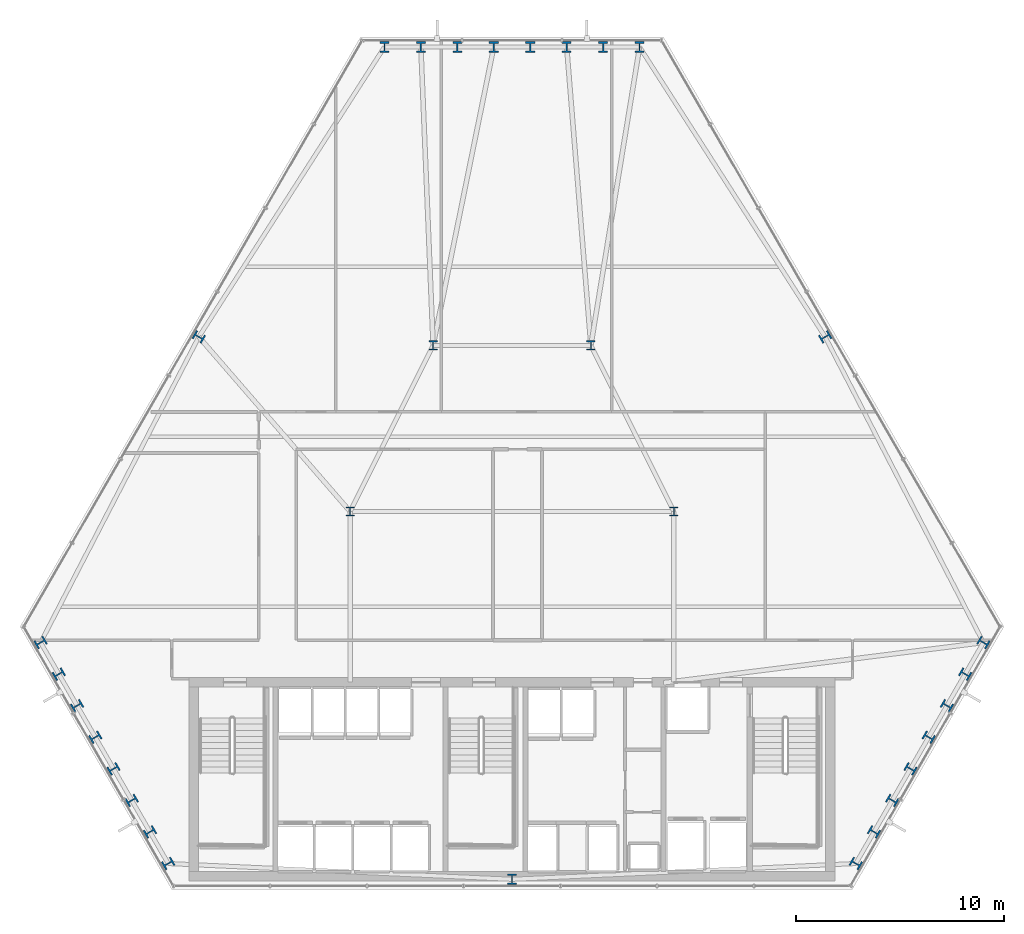
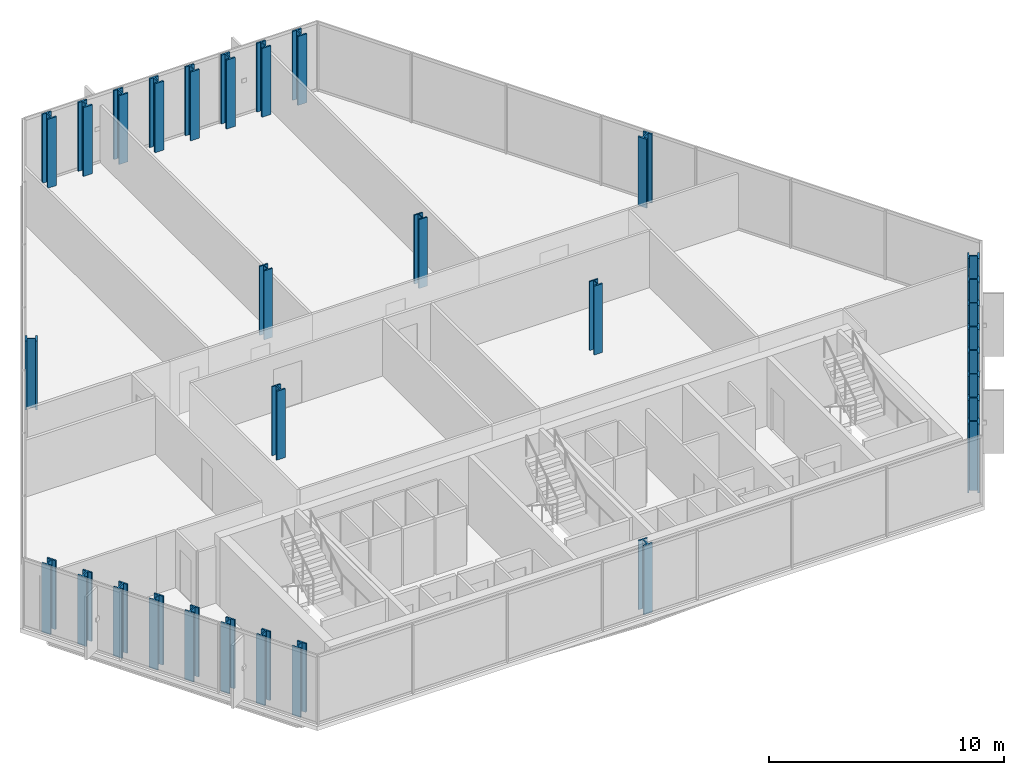
# One storey, part 1 of 33: 31 columns.
"""IFC4 building model written with IfcOpenShell, lengths in metres."""

from ifc_helpers import new_model, si_unit, direction, frame, origin, origin_2d, place, context, subcontext, project, spatial, i_section, extrude, material, material_profile, profile_set, type_object, element, save


model = new_model("IFC4")

# Units and contexts
model_context = context("Model", 3, precision=1e-05, world=origin(), true_north=direction((0.0, 1.0)))
body_context = subcontext(model_context, "Body", "Model", "MODEL_VIEW")
ifc_project = project(units=[si_unit("LENGTHUNIT", "METRE"), si_unit("AREAUNIT", "SQUARE_METRE"), si_unit("VOLUMEUNIT", "CUBIC_METRE"), si_unit("PLANEANGLEUNIT", "RADIAN"), si_unit("MASSUNIT", "GRAM", prefix="KILO")], contexts=[model_context])

# Site, building, storey
site_placement = place(None, origin())
site = spatial("IfcSite", under=ifc_project, at=site_placement, CompositionType="ELEMENT")
building_placement = place(site_placement, origin())
building = spatial("IfcBuilding", under=site, at=building_placement, Name="Ndaravel Arena Tower", CompositionType="ELEMENT")
storey_placement = place(building_placement, frame((0.0, 0.0, 85.39990234375)))
storey = spatial("IfcBuildingStorey", under=building, at=storey_placement, Name="L19", CompositionType="ELEMENT", Elevation=85.39990234375)

# Columns
ifc_material_1 = material(Name="Steel S460", Category="steel")
ifc_material_profile_1 = material_profile(ifc_material_1, i_section(OverallWidth=0.41845703125, OverallDepth=0.45556640625, WebThickness=0.0419921875, FlangeThickness=0.0673828125, FilletRadius=0.01513671875, at=origin_2d()), Name="UC 356x406x551")
ifc_profile_set_1 = profile_set([ifc_material_profile_1], Name="Steel S460")
column_type_1 = type_object("IfcColumnType", Name="COL-INT-UC551", PredefinedType="COLUMN", material=ifc_profile_set_1)
for number, where, z_axis, x_axis, name in (
    (1, (34.199951171875, 23.199951171875, 0.0), (0.0, 0.0, 1.0), (1.0, 0.0, 0.0), "L19 Interior Spine Column IC-01"),
    (2, (49.800048828125, 23.199951171875, 0.0), (0.0, 0.0, 1.0), (1.0, 0.0, 0.0), "L19 Interior Spine Column IC-02"),
    (3, (38.199951171875, 31.199951171875, 0.0), (0.0, 0.0, 1.0), (1.0, 0.0, 0.0), "L19 Interior Spine Column IC-03"),
    (4, (45.800048828125, 31.199951171875, 0.0), (0.0, 0.0, 1.0), (1.0, 0.0, 0.0), "L19 Interior Spine Column IC-04"),
):
    element("IfcColumn", number, at=place(storey_placement, frame(where, z_axis=z_axis, x_axis=x_axis)), inside=storey, type_object=column_type_1, Name=name, PredefinedType="COLUMN", context=body_context, shape_type="SweptSolid", body=[
        extrude(i_section(OverallWidth=0.41845703125, OverallDepth=0.45556640625, WebThickness=0.0419921875, FlangeThickness=0.0673828125, FilletRadius=0.01513671875, at=origin_2d()), origin(), (0.0, 0.0, 1.0), 3.580078125),
    ])
ifc_material_2 = material(Name="Steel S460", Category="steel")
ifc_material_profile_2 = material_profile(ifc_material_2, i_section(OverallWidth=0.43701171875, OverallDepth=0.513916015625, WebThickness=0.060546875, FlangeThickness=0.076904296875, FilletRadius=0.014892578125, at=origin_2d()), Name="HD 400x818")
ifc_profile_set_2 = profile_set([ifc_material_profile_2], Name="Steel S460")
column_type_2 = type_object("IfcColumnType", Name="COL-TUBE-HD818", PredefinedType="COLUMN", material=ifc_profile_set_2)
for number, where, z_axis, x_axis, name in (
    (5, (42.0, 5.47998046875, 0.0), (0.0, 0.0, 1.0), (1.0, 0.0, 0.0), "L19 Framed Tube Column TC-01"),
    (6, (58.563232421875, 6.240478515625, 0.0), (0.0, 0.0, 1.0), (0.5, 0.866025403784, 0.0), "L19 Framed Tube Column TC-02"),
    (7, (59.44140625, 7.761474609375, 0.0), (0.0, 0.0, 1.0), (0.5, 0.866025403784, 0.0), "L19 Framed Tube Column TC-03"),
    (8, (60.319580078125, 9.282470703125, 0.0), (0.0, 0.0, 1.0), (0.5, 0.866025403784, 0.0), "L19 Framed Tube Column TC-04"),
    (9, (61.19775390625, 10.803466796875, 0.0), (0.0, 0.0, 1.0), (0.5, 0.866025403784, 0.0), "L19 Framed Tube Column TC-05"),
    (10, (62.07568359375, 12.324462890625, 0.0), (0.0, 0.0, 1.0), (0.5, 0.866025403784, 0.0), "L19 Framed Tube Column TC-06"),
    (11, (62.9541015625, 13.845458984375, 0.0), (0.0, 0.0, 1.0), (0.5, 0.866025403784, 0.0), "L19 Framed Tube Column TC-07"),
    (12, (63.83203125, 15.366455078125, 0.0), (0.0, 0.0, 1.0), (0.5, 0.866025403784, 0.0), "L19 Framed Tube Column TC-08"),
    (13, (64.710205078125, 16.887451171875, 0.0), (0.0, 0.0, 1.0), (0.5, 0.866025403784, 0.0), "L19 Framed Tube Column TC-09"),
    (14, (57.087158203125, 31.61181640625, 0.0), (0.0, 0.0, 1.0), (-0.5, 0.866025403784, 0.0), "L19 Framed Tube Column TC-10"),
    (15, (48.147216796875, 45.575927734375, 0.0), (0.0, 0.0, 1.0), (1.0, 0.0, 0.0), "L19 Framed Tube Column TC-11"),
    (16, (46.390625, 45.575927734375, 0.0), (0.0, 0.0, 1.0), (1.0, 0.0, 0.0), "L19 Framed Tube Column TC-12"),
    (17, (44.634521484375, 45.575927734375, 0.0), (0.0, 0.0, 1.0), (1.0, 0.0, 0.0), "L19 Framed Tube Column TC-13"),
    (18, (42.878173828125, 45.575927734375, 0.0), (0.0, 0.0, 1.0), (1.0, 0.0, 0.0), "L19 Framed Tube Column TC-14"),
    (19, (41.121826171875, 45.575927734375, 0.0), (0.0, 0.0, 1.0), (1.0, 0.0, 0.0), "L19 Framed Tube Column TC-15"),
    (20, (39.365478515625, 45.575927734375, 0.0), (0.0, 0.0, 1.0), (1.0, 0.0, 0.0), "L19 Framed Tube Column TC-16"),
    (21, (37.609375, 45.575927734375, 0.0), (0.0, 0.0, 1.0), (1.0, 0.0, 0.0), "L19 Framed Tube Column TC-17"),
    (22, (35.852783203125, 45.575927734375, 0.0), (0.0, 0.0, 1.0), (1.0, 0.0, 0.0), "L19 Framed Tube Column TC-18"),
    (23, (26.912841796875, 31.61181640625, 0.0), (0.0, 0.0, 1.0), (0.5, 0.866025403784, 0.0), "L19 Framed Tube Column TC-19"),
    (24, (19.289794921875, 16.887451171875, 0.0), (0.0, 0.0, 1.0), (-0.5, 0.866025403784, 0.0), "L19 Framed Tube Column TC-20"),
    (25, (20.16796875, 15.366455078125, 0.0), (0.0, 0.0, 1.0), (-0.5, 0.866025403784, 0.0), "L19 Framed Tube Column TC-21"),
    (26, (21.0458984375, 13.845458984375, 0.0), (0.0, 0.0, 1.0), (-0.5, 0.866025403784, 0.0), "L19 Framed Tube Column TC-22"),
    (27, (21.92431640625, 12.324462890625, 0.0), (0.0, 0.0, 1.0), (-0.5, 0.866025403784, 0.0), "L19 Framed Tube Column TC-23"),
    (28, (22.80224609375, 10.803466796875, 0.0), (0.0, 0.0, 1.0), (-0.5, 0.866025403784, 0.0), "L19 Framed Tube Column TC-24"),
    (29, (23.680419921875, 9.282470703125, 0.0), (0.0, 0.0, 1.0), (-0.5, 0.866025403784, 0.0), "L19 Framed Tube Column TC-25"),
    (30, (24.55859375, 7.761474609375, 0.0), (0.0, 0.0, 1.0), (-0.5, 0.866025403784, 0.0), "L19 Framed Tube Column TC-26"),
    (31, (25.436767578125, 6.240478515625, 0.0), (0.0, 0.0, 1.0), (-0.5, 0.866025403784, 0.0), "L19 Framed Tube Column TC-27"),
):
    element("IfcColumn", number, at=place(storey_placement, frame(where, z_axis=z_axis, x_axis=x_axis)), inside=storey, type_object=column_type_2, Name=name, PredefinedType="COLUMN", context=body_context, shape_type="SweptSolid", body=[
        extrude(i_section(OverallWidth=0.43701171875, OverallDepth=0.513916015625, WebThickness=0.060546875, FlangeThickness=0.076904296875, FilletRadius=0.014892578125, at=origin_2d()), origin(), (0.0, 0.0, 1.0), 3.580078125),
    ])

save(model, "model.ifc")
